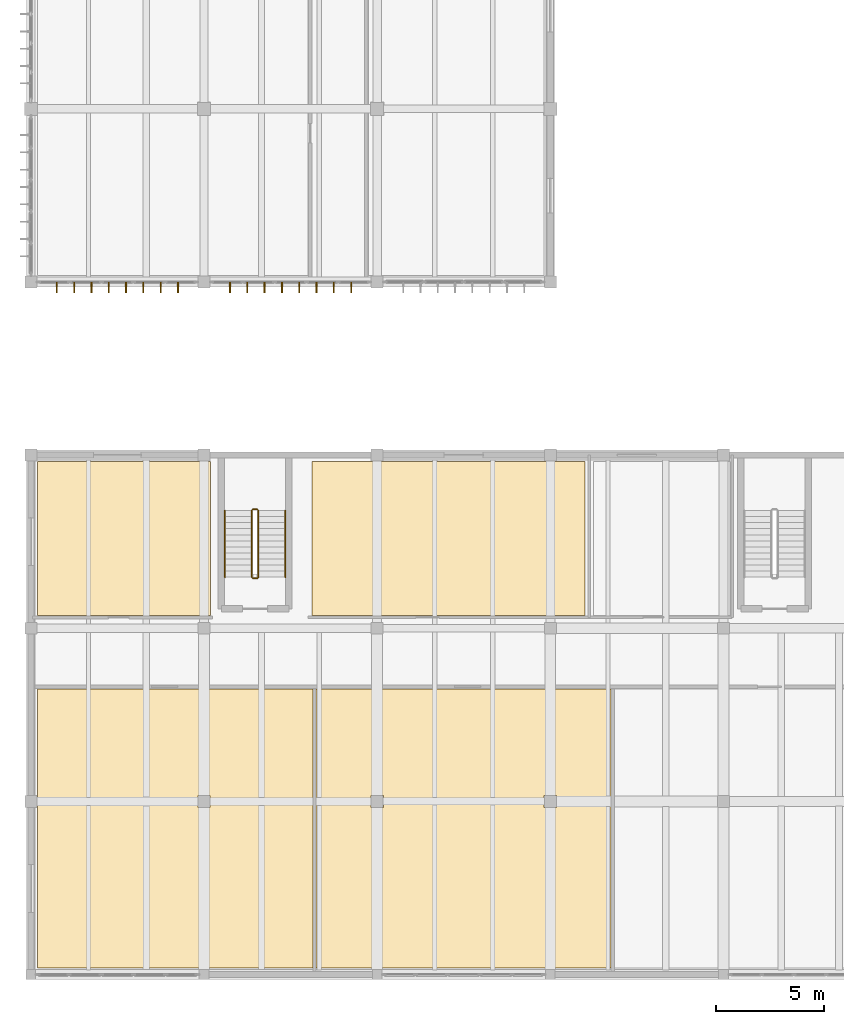
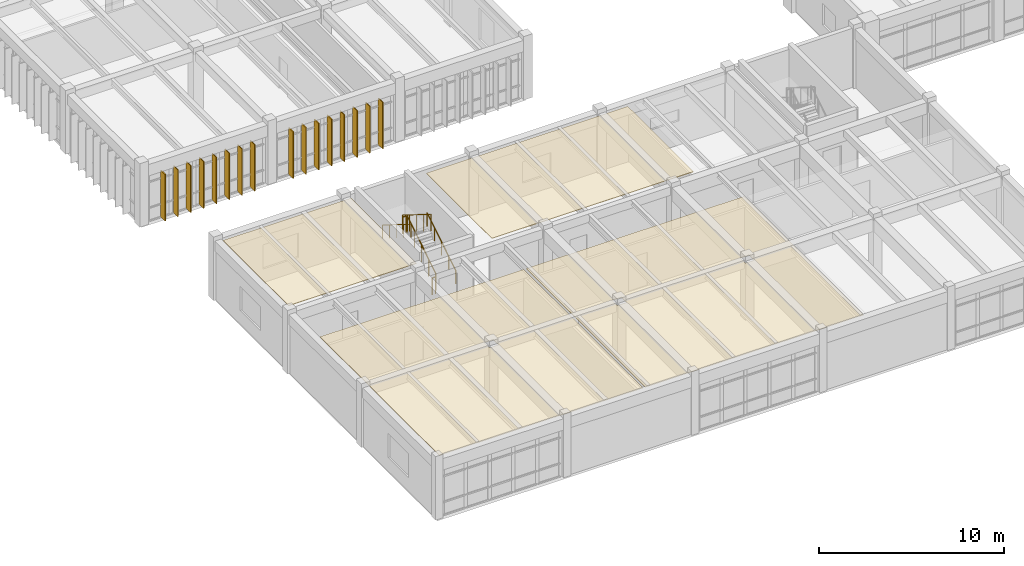
# One storey, part 53 of 67: 16 shading devices, 6 railings, 4 coverings.
"""IFC4 building model written with IfcOpenShell, lengths in metres."""

import ifcopenshell
import ifcopenshell.guid

model = None  # the IFC model being written
_history = None  # IfcOwnerHistory: only IFC2X3 demands one
_inside = {}  # id of a spatial element -> (the spatial element, [elements in it])
_under = {}  # id of a project, library or spatial element -> (it, [spatial elements below it])
_declared = {}  # id of a project -> (the project, [libraries it declares])
_typed = {}  # id of a type object -> (the type object, [elements of that type])
_made_of = {}  # id of a material, layer set ... -> (it, [elements and type objects made of it])


def new_model(schema):
    """Start an empty IFC model of exactly this schema.

    Asked for "IFC4X3", IfcOpenShell would pick the latest addendum, in which some entities
    have other attributes; the version numbers below select the first issue.
    IFC2X3 requires an IfcOwnerHistory on every rooted entity: one is made here for all.
    """
    global model, _history
    if schema == "IFC4X3":
        model = ifcopenshell.file(schema_version=(4, 3, 0, 0))
    else:
        model = ifcopenshell.file(schema=schema)
    _inside.clear()
    _under.clear()
    _declared.clear()
    _typed.clear()
    _made_of.clear()
    _history = None
    if model.schema == "IFC2X3":
        org = make("IfcOrganization", Name="unknown")
        user = make(
            "IfcPersonAndOrganization",
            ThePerson=make("IfcPerson", FamilyName="unknown"),
            TheOrganization=org,
        )
        app = make(
            "IfcApplication",
            ApplicationDeveloper=org,
            Version="unknown",
            ApplicationFullName="unknown",
            ApplicationIdentifier="unknown",
        )
        _history = make(
            "IfcOwnerHistory",
            OwningUser=user,
            OwningApplication=app,
            ChangeAction="ADDED",
            CreationDate=0,
        )
    return model


def make(cls, **values):
    """One entity of the class cls with the attributes given. An attribute that is None is left unset."""
    return model.create_entity(
        cls, **{name: value for name, value in values.items() if value is not None}
    )


def rooted(cls, **values):
    """An entity with a GlobalId (a new one), such as an element, a storey or a relation."""
    return make(cls, GlobalId=ifcopenshell.guid.new(), OwnerHistory=_history, **values)


def si_unit(unit_type, name, prefix=None):
    """IfcSIUnit, for example si_unit("LENGTHUNIT", "METRE", prefix="MILLI")."""
    return make("IfcSIUnit", UnitType=unit_type, Prefix=prefix, Name=name)


def assignment(units):
    """IfcUnitAssignment: the units of a project."""
    return None if units is None else make("IfcUnitAssignment", Units=units)


def point(xyz):
    """IfcCartesianPoint."""
    return None if xyz is None else make("IfcCartesianPoint", Coordinates=xyz)


def direction(xyz):
    """IfcDirection."""
    return None if xyz is None else make("IfcDirection", DirectionRatios=xyz)


def frame(location, z_axis=None, x_axis=None):
    """IfcAxis2Placement3D, a coordinate frame: its origin and axes. An axis left out is left unset."""
    return make(
        "IfcAxis2Placement3D",
        Location=point(location),
        Axis=direction(z_axis),
        RefDirection=direction(x_axis),
    )


def frame_2d(location, x_axis=None):
    """IfcAxis2Placement2D, a coordinate frame in the plane: its origin and x axis."""
    return make(
        "IfcAxis2Placement2D", Location=point(location), RefDirection=direction(x_axis)
    )


def origin():
    """The frame at (0, 0, 0) with its axes left unset."""
    return frame((0.0, 0.0, 0.0))


def origin_2d():
    """The frame at (0, 0) in the plane with its x axis left unset."""
    return frame_2d((0.0, 0.0))


def place(relative_to, where):
    """IfcLocalPlacement: puts the frame where relative to a parent placement (None: the world)."""
    return make(
        "IfcLocalPlacement", PlacementRelTo=relative_to, RelativePlacement=where
    )


def context(
    kind, dimensions, precision=None, world=None, true_north=None, identifier=None
):
    """IfcGeometricRepresentationContext, for example the 3D "Model" context."""
    return make(
        "IfcGeometricRepresentationContext",
        ContextIdentifier=identifier,
        ContextType=kind,
        CoordinateSpaceDimension=dimensions,
        Precision=precision,
        WorldCoordinateSystem=world,
        TrueNorth=true_north,
    )


def subcontext(parent, identifier, kind, view, scale=None):
    """IfcGeometricRepresentationSubContext, for example "Body" below "Model"."""
    return make(
        "IfcGeometricRepresentationSubContext",
        ContextIdentifier=identifier,
        ContextType=kind,
        ParentContext=parent,
        TargetScale=scale,
        TargetView=view,
    )


def project(units=None, contexts=None):
    """IfcProject with its units and contexts."""
    return rooted(
        "IfcProject",
        Name="project",
        RepresentationContexts=contexts,
        UnitsInContext=assignment(units),
    )


def spatial(cls, under=None, at=None, **own):
    """A site, building, storey or space (cls), placed at a placement, below another one or the project."""
    s = rooted(cls, ObjectPlacement=at, **own)
    if under is not None:
        _under.setdefault(under.id(), (under, []))[1].append(s)
    return s


def polyline(points):
    """IfcPolyline through the points."""
    return make("IfcPolyline", Points=[point(p) for p in points])


def profile(cls, at=None, kind="AREA", **sizes):
    """A parametric profile (cls). Its sizes go by their IFC names, for example OverallWidth=200.0."""
    return make(cls, ProfileType=kind, Position=at, **sizes)


def rectangle(**sizes):
    """IfcRectangleProfileDef."""
    return profile("IfcRectangleProfileDef", **sizes)


def circle(**sizes):
    """IfcCircleProfileDef."""
    return profile("IfcCircleProfileDef", **sizes)


def outline(outer, holes=None, kind="AREA"):
    """IfcArbitraryClosedProfileDef: a profile drawn as a closed curve; with holes, ...WithVoids."""
    if holes is None:
        return make("IfcArbitraryClosedProfileDef", ProfileType=kind, OuterCurve=outer)
    return make(
        "IfcArbitraryProfileDefWithVoids",
        ProfileType=kind,
        OuterCurve=outer,
        InnerCurves=holes,
    )


def extrude(swept, where, along, depth):
    """IfcExtrudedAreaSolid: the profile swept, set in the frame where, extruded along a direction by depth."""
    return make(
        "IfcExtrudedAreaSolid",
        SweptArea=swept,
        Position=where,
        ExtrudedDirection=direction(along),
        Depth=depth,
    )


def shape(context_of_items, identifier, shape_type, items):
    """IfcShapeRepresentation: the items that make up one representation, for example the "Body"."""
    return make(
        "IfcShapeRepresentation",
        ContextOfItems=context_of_items,
        RepresentationIdentifier=identifier,
        RepresentationType=shape_type,
        Items=items,
    )


def material(Name=None, Category=None):
    """IfcMaterial."""
    return make("IfcMaterial", Name=Name, Category=Category)


def layer(
    of_material, thickness, ventilated=None, Name=None, Category=None, Priority=None
):
    """IfcMaterialLayer: one layer of a wall or slab, of a material (None: an air gap)."""
    return make(
        "IfcMaterialLayer",
        Material=of_material,
        LayerThickness=thickness,
        IsVentilated=ventilated,
        Name=Name,
        Category=Category,
        Priority=Priority,
    )


def layer_set(layers, Name=None):
    """IfcMaterialLayerSet."""
    return make("IfcMaterialLayerSet", MaterialLayers=layers, LayerSetName=Name)


def made_of(thing, what):
    """Note that an element or type object is made of a material, layer set ...; save() writes the relation."""
    if what is not None:
        _made_of.setdefault(what.id(), (what, []))[1].append(thing)
    return thing


def type_object(cls, material=None, **own):
    """A type object (cls), such as IfcWallType, which elements share."""
    return made_of(rooted(cls, **own), material)


def element(
    cls,
    number,
    at=None,
    inside=None,
    cuts=None,
    type_object=None,
    material=None,
    context=None,
    identifier="Body",
    shape_type=None,
    held_by="IfcProductDefinitionShape",
    body=None,
    shapes=None,
    **own,
):
    """One element of the class cls, such as IfcWall. Its Tag is "e" and its number.

    at: its placement. inside: the storey or other place that contains it. cuts: it is an
    opening in that element (IfcRelVoidsElement). A single representation is given by context,
    identifier, shape_type and body (its items); several are given by shapes. held_by: the class
    of the entity that holds the representations. save() writes the other relations.
    """
    e = rooted(cls, Tag="e%d" % number, ObjectPlacement=at, **own)
    if body is not None:
        shapes = [shape(context, identifier, shape_type, body)]
    if shapes is not None:
        e.Representation = make(held_by, Representations=shapes)
    if inside is not None:
        _inside.setdefault(inside.id(), (inside, []))[1].append(e)
    if cuts is not None:
        rooted(
            "IfcRelVoidsElement", RelatingBuildingElement=cuts, RelatedOpeningElement=e
        )
    if type_object is not None:
        _typed.setdefault(type_object.id(), (type_object, []))[1].append(e)
    return made_of(e, material)


def aggregate(whole, parts):
    """IfcRelAggregates: a whole, such as a stair, and the parts it consists of."""
    return rooted("IfcRelAggregates", RelatingObject=whole, RelatedObjects=parts)


def save(model, path):
    """Write the relations noted so far, then the file.

    IfcRelAggregates (storeys below a building ...), IfcRelContainedInSpatialStructure (elements
    in a storey), IfcRelDefinesByType, IfcRelAssociatesMaterial and IfcRelDeclares: one each for
    every whole, place, type object, material and project.
    """
    for whole, parts in _under.values():
        aggregate(whole, parts)
    for where, things in _inside.values():
        rooted(
            "IfcRelContainedInSpatialStructure",
            RelatedElements=things,
            RelatingStructure=where,
        )
    for kind, things in _typed.values():
        rooted("IfcRelDefinesByType", RelatedObjects=things, RelatingType=kind)
    for what, things in _made_of.values():
        rooted("IfcRelAssociatesMaterial", RelatedObjects=things, RelatingMaterial=what)
    for by, libraries in _declared.values():
        rooted("IfcRelDeclares", RelatingContext=by, RelatedDefinitions=libraries)
    model.write(path)


model = new_model("IFC4")

# Units and contexts
model_context = context("Model", 3, precision=1e-05, world=origin(), true_north=direction((0.0, 1.0)))
body_context = subcontext(model_context, "Body", "Model", "MODEL_VIEW")
ifc_project = project(units=[si_unit("LENGTHUNIT", "METRE"), si_unit("AREAUNIT", "SQUARE_METRE"), si_unit("VOLUMEUNIT", "CUBIC_METRE"), si_unit("PLANEANGLEUNIT", "RADIAN"), si_unit("MASSUNIT", "GRAM", prefix="KILO")], contexts=[model_context])

# Site, building, storey
site_placement = place(None, origin())
site = spatial("IfcSite", under=ifc_project, at=site_placement, CompositionType="ELEMENT")
building_placement = place(site_placement, origin())
building = spatial("IfcBuilding", under=site, at=building_placement, Name="Tlaxcora Railside Police Headquarters", CompositionType="ELEMENT")
storey_placement = place(building_placement, frame((0.0, 0.0, 4.800048828125)))
storey = spatial("IfcBuildingStorey", under=building, at=storey_placement, Name="L01", CompositionType="ELEMENT", Elevation=4.800048828125)

# Coverings
ifc_material_1 = material(Name="Mineral-fibre acoustic ceiling tile")
ifc_layer_1 = layer(ifc_material_1, 0.034912109375, Name="Mineral-fibre acoustic ceiling tile")
ifc_layer_set_1 = layer_set([ifc_layer_1], Name="Mineral-fibre acoustic ceiling tile")
covering_type = type_object("IfcCoveringType", Name="Acoustic Suspended Ceiling CLG-01", PredefinedType="CEILING", material=ifc_layer_set_1)
covering_1_placement = place(storey_placement, frame((0.0, 0.0, 3.764892578125)))
element("IfcCovering", 1, at=covering_1_placement, inside=storey, type_object=covering_type, Name="Community Safety Seminar Room suspended ceiling", PredefinedType="CEILING", context=body_context, shape_type="SweptSolid", body=[
    extrude(outline(polyline([(5.5, 12.300048828125), (18.22509765625, 12.300048828125), (18.22509765625, 25.199951171875), (5.5, 25.199951171875), (5.5, 12.300048828125)]), holes=[polyline([(13.485107421875, 19.715087890625), (12.9150390625, 19.715087890625), (12.9150390625, 20.284912109375), (13.485107421875, 20.284912109375), (13.485107421875, 19.715087890625)])]), origin(), (0.0, 0.0, 1.0), 0.03515625),
])
covering_2_placement = place(storey_placement, frame((0.0, 0.0, 3.764892578125)))
element("IfcCovering", 2, at=covering_2_placement, inside=storey, type_object=covering_type, Name="Public Police Museum and Heritage Gallery suspended ceiling", PredefinedType="CEILING", context=body_context, shape_type="SweptSolid", body=[
    extrude(outline(polyline([(18.385009765625, 25.199951171875), (18.385009765625, 12.300048828125), (32.014892578125, 12.300048828125), (32.014892578125, 25.199951171875), (18.385009765625, 25.199951171875)]), holes=[polyline([(21.485107421875, 20.284912109375), (21.485107421875, 19.715087890625), (20.9150390625, 19.715087890625), (20.9150390625, 20.284912109375), (21.485107421875, 20.284912109375)]), polyline([(29.485107421875, 19.715087890625), (28.9150390625, 19.715087890625), (28.9150390625, 20.284912109375), (29.485107421875, 20.284912109375), (29.485107421875, 19.715087890625)])]), origin(), (0.0, 0.0, 1.0), 0.03515625),
])
covering_3_placement = place(storey_placement, frame((0.0, 0.0, 3.764892578125)))
element("IfcCovering", 3, at=covering_3_placement, inside=storey, type_object=covering_type, Name="Domestic Violence Victim Support Suite suspended ceiling", PredefinedType="CEILING", context=body_context, shape_type="SweptSolid", body=[
    extrude(outline(polyline([(13.5, 28.60009765625), (13.5, 35.699951171875), (5.5, 35.699951171875), (5.5, 28.60009765625), (13.5, 28.60009765625)])), origin(), (0.0, 0.0, 1.0), 0.03515625),
])
covering_4_placement = place(storey_placement, frame((0.0, 0.0, 3.764892578125)))
element("IfcCovering", 4, at=covering_4_placement, inside=storey, type_object=covering_type, Name="Traffic Licensing and Permits Office suspended ceiling", PredefinedType="CEILING", context=body_context, shape_type="SweptSolid", body=[
    extrude(outline(polyline([(30.800048828125, 28.60009765625), (30.800048828125, 35.699951171875), (18.199951171875, 35.699951171875), (18.199951171875, 28.60009765625), (30.800048828125, 28.60009765625)])), origin(), (0.0, 0.0, 1.0), 0.03515625),
])

# Shading devices
ifc_material_2 = material(Name="Anodised aluminium framing", Category="aluminium")
ifc_layer_2 = layer(ifc_material_2, 0.054931640625, Name="Anodised aluminium framing")
ifc_layer_set_2 = layer_set([ifc_layer_2], Name="Anodised aluminium framing")
shading_device_type = type_object("IfcShadingDeviceType", Name="Solar Control Fin SF-01", PredefinedType="JALOUSIE", material=ifc_layer_set_2)
for number, where, z_axis, x_axis, name in (
    (5, (6.39990234375, 43.739990234375, 0.039794921875), (0.0, 0.0, 1.0), (0.0, -1.0, 0.0), "Vertical solar fin 1"),
    (6, (7.199951171875, 43.739990234375, 0.039794921875), (0.0, 0.0, 1.0), (0.0, -1.0, 0.0), "Vertical solar fin 2"),
    (7, (8.0, 43.739990234375, 0.039794921875), (0.0, 0.0, 1.0), (0.0, -1.0, 0.0), "Vertical solar fin 3"),
    (8, (8.800048828125, 43.739990234375, 0.039794921875), (0.0, 0.0, 1.0), (0.0, -1.0, 0.0), "Vertical solar fin 4"),
    (9, (9.60009765625, 43.739990234375, 0.039794921875), (0.0, 0.0, 1.0), (0.0, -1.0, 0.0), "Vertical solar fin 5"),
    (10, (10.39990234375, 43.739990234375, 0.039794921875), (0.0, 0.0, 1.0), (0.0, -1.0, 0.0), "Vertical solar fin 6"),
    (11, (11.199951171875, 43.739990234375, 0.039794921875), (0.0, 0.0, 1.0), (0.0, -1.0, 0.0), "Vertical solar fin 7"),
    (12, (12.0, 43.739990234375, 0.039794921875), (0.0, 0.0, 1.0), (0.0, -1.0, 0.0), "Vertical solar fin 8"),
    (13, (14.39990234375, 43.739990234375, 0.039794921875), (0.0, 0.0, 1.0), (0.0, -1.0, 0.0), "Vertical solar fin 9"),
    (14, (15.199951171875, 43.739990234375, 0.039794921875), (0.0, 0.0, 1.0), (0.0, -1.0, 0.0), "Vertical solar fin 10"),
    (15, (16.0, 43.739990234375, 0.039794921875), (0.0, 0.0, 1.0), (0.0, -1.0, 0.0), "Vertical solar fin 11"),
    (16, (16.800048828125, 43.739990234375, 0.039794921875), (0.0, 0.0, 1.0), (0.0, -1.0, 0.0), "Vertical solar fin 12"),
    (17, (17.60009765625, 43.739990234375, 0.039794921875), (0.0, 0.0, 1.0), (0.0, -1.0, 0.0), "Vertical solar fin 13"),
    (18, (18.39990234375, 43.739990234375, 0.039794921875), (0.0, 0.0, 1.0), (0.0, -1.0, 0.0), "Vertical solar fin 14"),
    (19, (19.199951171875, 43.739990234375, 0.039794921875), (0.0, 0.0, 1.0), (0.0, -1.0, 0.0), "Vertical solar fin 15"),
    (20, (20.0, 43.739990234375, 0.039794921875), (0.0, 0.0, 1.0), (0.0, -1.0, 0.0), "Vertical solar fin 16"),
):
    element("IfcShadingDevice", number, at=place(storey_placement, frame(where, z_axis=z_axis, x_axis=x_axis)), inside=storey, type_object=shading_device_type, Name=name, PredefinedType="JALOUSIE", context=body_context, shape_type="SweptSolid", body=[
        extrude(rectangle(XDim=0.47998046875, YDim=0.054931640625, at=origin_2d()), origin(), (0.0, 0.0, 1.0), 3.080078125),
    ])

# Railings
ifc_material_3 = material(Name="Steel ASTM A992 Grade 50", Category="steel")
railing_type_1 = type_object("IfcRailingType", Name="Stair Well Guard Balustrade GR-02", PredefinedType="BALUSTRADE", material=ifc_material_3)
railing_1_placement = place(storey_placement, frame((15.7099609375, 30.360107421875, 0.175048828125)))
element("IfcRailing", 21, at=railing_1_placement, inside=storey, type_object=railing_type_1, Name="L01 ST6 stair guard 1", PredefinedType="BALUSTRADE", context=body_context, shape_type="SweptSolid", body=[
    extrude(circle(Radius=0.02392578125, at=origin_2d()), frame((0.0, 0.0, 1.09619140625), z_axis=(0.0, 0.848009633417, 0.529980812513), x_axis=(-1.0, 0.0, 0.0)), (0.0, 0.0, 1.0), 3.6318359375),
    extrude(circle(Radius=0.02099609375, at=origin_2d()), origin(), (0.0, 0.0, 1.0), 1.072021484375),
    extrude(circle(Radius=0.02099609375, at=origin_2d()), frame((0.0, 0.77001953125, 0.481201171875)), (0.0, 0.0, 1.0), 1.072021484375),
    extrude(circle(Radius=0.02099609375, at=origin_2d()), frame((0.0, 1.5400390625, 0.96240234375)), (0.0, 0.0, 1.0), 1.072021484375),
    extrude(circle(Radius=0.02099609375, at=origin_2d()), frame((0.0, 2.309814453125, 1.443603515625)), (0.0, 0.0, 1.0), 1.072021484375),
    extrude(circle(Radius=0.02099609375, at=origin_2d()), frame((0.0, 3.079833984375, 1.9248046875)), (0.0, 0.0, 1.0), 1.072021484375),
])
railing_2_placement = place(storey_placement, frame((15.659912109375, 33.489990234375, 2.099853515625)))
element("IfcRailing", 22, at=railing_2_placement, inside=storey, type_object=railing_type_1, Name="L01 ST6 stair guard 2", PredefinedType="BALUSTRADE", context=body_context, shape_type="SweptSolid", body=[
    extrude(circle(Radius=0.02392578125, at=origin_2d()), frame((0.0, 0.0, 1.09619140625), z_axis=(-1.0, 0.0, 0.0), x_axis=(0.0, -1.0, 0.0)), (0.0, 0.0, 1.0), 0.199951171875),
    extrude(circle(Radius=0.02099609375, at=origin_2d()), origin(), (0.0, 0.0, 1.0), 1.072021484375),
    extrude(circle(Radius=0.02099609375, at=origin_2d()), frame((-0.199951171875, 0.0, 0.0)), (0.0, 0.0, 1.0), 1.072021484375),
])
railing_3_placement = place(storey_placement, frame((15.409912109375, 33.43994140625, 2.27490234375)))
element("IfcRailing", 23, at=railing_3_placement, inside=storey, type_object=railing_type_1, Name="L01 ST6 stair guard 3", PredefinedType="BALUSTRADE", context=body_context, shape_type="SweptSolid", body=[
    extrude(circle(Radius=0.02392578125, at=origin_2d()), frame((0.0, 0.0, 1.09619140625), z_axis=(0.0, -0.847979421464, 0.530029150871), x_axis=(1.0, 0.0, 0.0)), (0.0, 0.0, 1.0), 3.632080078125),
    extrude(circle(Radius=0.02099609375, at=origin_2d()), origin(), (0.0, 0.0, 1.0), 1.072021484375),
    extrude(circle(Radius=0.02099609375, at=origin_2d()), frame((0.0, -0.77001953125, 0.481201171875)), (0.0, 0.0, 1.0), 1.072021484375),
    extrude(circle(Radius=0.02099609375, at=origin_2d()), frame((0.0, -1.5400390625, 0.96240234375)), (0.0, 0.0, 1.0), 1.072021484375),
    extrude(circle(Radius=0.02099609375, at=origin_2d()), frame((0.0, -2.309814453125, 1.44384765625)), (0.0, 0.0, 1.0), 1.072021484375),
    extrude(circle(Radius=0.02099609375, at=origin_2d()), frame((0.0, -3.079833984375, 1.925048828125)), (0.0, 0.0, 1.0), 1.072021484375),
])
railing_4_placement = place(storey_placement, frame((15.659912109375, 30.31005859375, 0.0)))
element("IfcRailing", 24, at=railing_4_placement, inside=storey, type_object=railing_type_1, Name="L01 ST6 stair guard 4", PredefinedType="BALUSTRADE", context=body_context, shape_type="SweptSolid", body=[
    extrude(circle(Radius=0.02392578125, at=origin_2d()), frame((0.0, 0.0, 1.09619140625), z_axis=(-1.0, 0.0, 0.0), x_axis=(0.0, -1.0, 0.0)), (0.0, 0.0, 1.0), 0.199951171875),
    extrude(circle(Radius=0.02099609375, at=origin_2d()), origin(), (0.0, 0.0, 1.0), 1.072021484375),
    extrude(circle(Radius=0.02099609375, at=origin_2d()), frame((-0.199951171875, 0.0, 0.0)), (0.0, 0.0, 1.0), 1.072021484375),
])
railing_type_2 = type_object("IfcRailingType", Name="Stair and Ramp Handrail HR-01", PredefinedType="HANDRAIL", material=ifc_material_3)
railing_5_placement = place(storey_placement, frame((16.9599609375, 30.360107421875, 0.175048828125)))
element("IfcRailing", 25, at=railing_5_placement, inside=storey, type_object=railing_type_2, Name="L01 ST6 stair handrail 1", PredefinedType="HANDRAIL", context=body_context, shape_type="SweptSolid", body=[
    extrude(circle(Radius=0.02392578125, at=origin_2d()), frame((0.0, 0.0, 0.8759765625), z_axis=(0.0, 0.848009633417, 0.529980812513), x_axis=(-1.0, 0.0, 0.0)), (0.0, 0.0, 1.0), 3.6318359375),
    extrude(circle(Radius=0.02099609375, at=origin_2d()), origin(), (0.0, 0.0, 1.0), 0.851806640625),
    extrude(circle(Radius=0.02099609375, at=origin_2d()), frame((0.0, 0.77001953125, 0.481201171875)), (0.0, 0.0, 1.0), 0.851806640625),
    extrude(circle(Radius=0.02099609375, at=origin_2d()), frame((0.0, 1.5400390625, 0.96240234375)), (0.0, 0.0, 1.0), 0.851806640625),
    extrude(circle(Radius=0.02099609375, at=origin_2d()), frame((0.0, 2.309814453125, 1.443603515625)), (0.0, 0.0, 1.0), 0.851806640625),
    extrude(circle(Radius=0.02099609375, at=origin_2d()), frame((0.0, 3.079833984375, 1.9248046875)), (0.0, 0.0, 1.0), 0.851806640625),
])
railing_6_placement = place(storey_placement, frame((14.159912109375, 33.43994140625, 2.27490234375)))
element("IfcRailing", 26, at=railing_6_placement, inside=storey, type_object=railing_type_2, Name="L01 ST6 stair handrail 2", PredefinedType="HANDRAIL", context=body_context, shape_type="SweptSolid", body=[
    extrude(circle(Radius=0.02392578125, at=origin_2d()), frame((0.0, 0.0, 0.8759765625), z_axis=(0.0, -0.847979421464, 0.530029150871), x_axis=(1.0, 0.0, 0.0)), (0.0, 0.0, 1.0), 3.632080078125),
    extrude(circle(Radius=0.02099609375, at=origin_2d()), origin(), (0.0, 0.0, 1.0), 0.851806640625),
    extrude(circle(Radius=0.02099609375, at=origin_2d()), frame((0.0, -0.77001953125, 0.481201171875)), (0.0, 0.0, 1.0), 0.851806640625),
    extrude(circle(Radius=0.02099609375, at=origin_2d()), frame((0.0, -1.5400390625, 0.96240234375)), (0.0, 0.0, 1.0), 0.851806640625),
    extrude(circle(Radius=0.02099609375, at=origin_2d()), frame((0.0, -2.309814453125, 1.44384765625)), (0.0, 0.0, 1.0), 0.851806640625),
    extrude(circle(Radius=0.02099609375, at=origin_2d()), frame((0.0, -3.079833984375, 1.925048828125)), (0.0, 0.0, 1.0), 0.851806640625),
])

save(model, "model.ifc")
